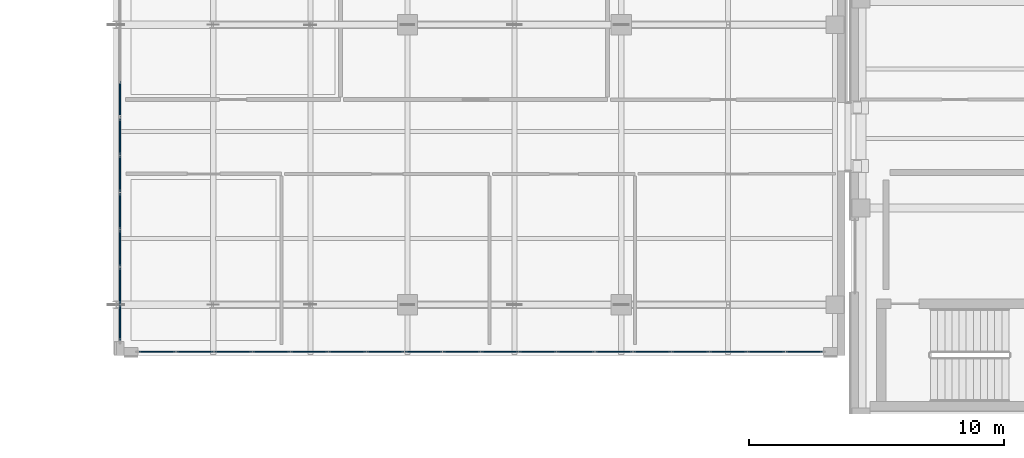
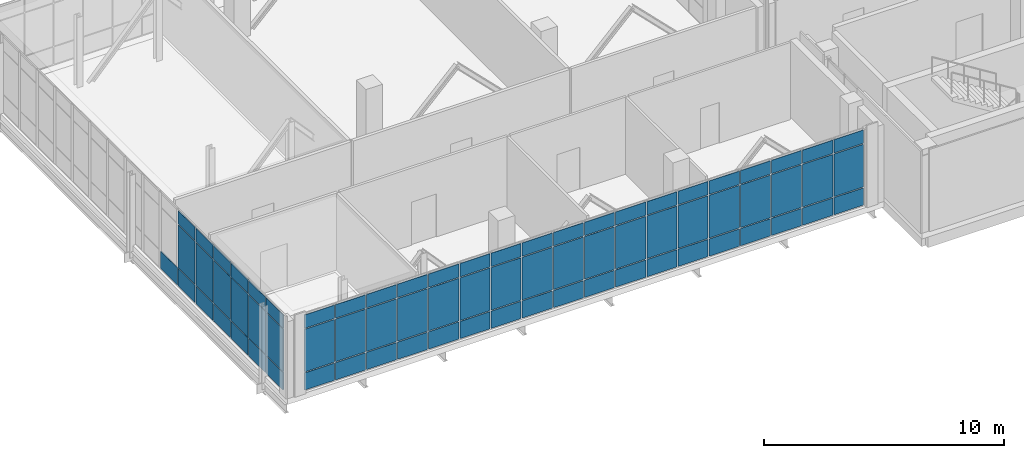
# One storey, part 130 of 193: 73 plates, 2 elements without a shape of their own.
"""IFC4 building model written with IfcOpenShell, lengths in metres."""

from ifc_helpers import new_model, si_unit, direction, frame, origin, origin_2d, place, context, subcontext, project, spatial, rectangle, extrude, material, layer, layer_set, type_object, element, aggregate, save


model = new_model("IFC4")

# Units and contexts
model_context = context("Model", 3, precision=1e-05, world=origin(), true_north=direction((0.0, 1.0)))
body_context = subcontext(model_context, "Body", "Model", "MODEL_VIEW")
ifc_project = project(units=[si_unit("LENGTHUNIT", "METRE"), si_unit("AREAUNIT", "SQUARE_METRE"), si_unit("VOLUMEUNIT", "CUBIC_METRE"), si_unit("PLANEANGLEUNIT", "RADIAN"), si_unit("MASSUNIT", "GRAM", prefix="KILO")], contexts=[model_context])

# Site, building, storey
site_placement = place(None, origin())
site = spatial("IfcSite", under=ifc_project, at=site_placement, CompositionType="ELEMENT")
building_placement = place(site_placement, origin())
building = spatial("IfcBuilding", under=site, at=building_placement, Name="Qalavern Law Courts", CompositionType="ELEMENT")
storey_placement = place(building_placement, frame((0.0, 0.0, 10.199951171875)))
storey = spatial("IfcBuildingStorey", under=building, at=storey_placement, Name="L02", CompositionType="ELEMENT", Elevation=10.199951171875)

# Curtain wall, plates
ifc_material_1 = material(Name="Anodised aluminium and insulated glazing", Category="aluminium")
ifc_layer_1 = layer(ifc_material_1, 0.199951171875)
ifc_layer_set_1 = layer_set([ifc_layer_1], Name="Anodised aluminium and insulated glazing")
curtain_wall_type = type_object("IfcCurtainWallType", Name="ENV-CW-FOYER", PredefinedType="USERDEFINED", material=ifc_layer_set_1)
curtain_wall_1_placement = place(storey_placement, origin())
curtain_wall_1 = element("IfcCurtainWall", 1, at=curtain_wall_1_placement, inside=storey, type_object=curtain_wall_type, Name="V1 unitised curtain wall L02 south 1", ObjectType="UNITISED CURTAIN WALL", PredefinedType="USERDEFINED")
ifc_material_2 = material(Name="Insulated low-E acoustic glazing", Category="glass")
ifc_layer_2 = layer(ifc_material_2, 0.048095703125)
ifc_layer_set_2 = layer_set([ifc_layer_2], Name="Insulated low-E acoustic glazing")
plate_type = type_object("IfcPlateType", Name="ENV-CWP-48", PredefinedType="CURTAIN_PANEL", material=ifc_layer_set_2)
plate_1_placement = place(storey_placement, frame((6.96533203125, 8.155029296875, 0.048095703125), z_axis=(0.0, 0.0, 1.0), x_axis=(1.0, 0.0, 0.0)))
plate_1 = element("IfcPlate", 2, at=plate_1_placement, type_object=plate_type, Name="CW-01 panel 1.1", PredefinedType="CURTAIN_PANEL", context=body_context, shape_type="SweptSolid", body=[
    extrude(rectangle(XDim=1.424560546875, YDim=0.048095703125, at=origin_2d()), origin(), (0.0, 0.0, 1.0), 0.8779296875),
])
plate_2_placement = place(storey_placement, frame((6.96533203125, 8.155029296875, 0.97412109375), z_axis=(0.0, 0.0, 1.0), x_axis=(1.0, 0.0, 0.0)))
plate_2 = element("IfcPlate", 3, at=plate_2_placement, type_object=plate_type, Name="CW-01 panel 1.2", PredefinedType="CURTAIN_PANEL", context=body_context, shape_type="SweptSolid", body=[
    extrude(rectangle(XDim=1.424560546875, YDim=0.048095703125, at=origin_2d()), origin(), (0.0, 0.0, 1.0), 2.1669921875),
])
plate_3_placement = place(storey_placement, frame((6.96533203125, 8.155029296875, 3.18896484375), z_axis=(0.0, 0.0, 1.0), x_axis=(1.0, 0.0, 0.0)))
plate_3 = element("IfcPlate", 4, at=plate_3_placement, type_object=plate_type, Name="CW-01 panel 1.3", PredefinedType="CURTAIN_PANEL", context=body_context, shape_type="SweptSolid", body=[
    extrude(rectangle(XDim=1.424560546875, YDim=0.048095703125, at=origin_2d()), origin(), (0.0, 0.0, 1.0), 0.677978515625),
])
plate_4_placement = place(storey_placement, frame((8.449951171875, 8.155029296875, 0.048095703125), z_axis=(0.0, 0.0, 1.0), x_axis=(1.0, 0.0, 0.0)))
plate_4 = element("IfcPlate", 5, at=plate_4_placement, type_object=plate_type, Name="CW-01 panel 2.1", PredefinedType="CURTAIN_PANEL", context=body_context, shape_type="SweptSolid", body=[
    extrude(rectangle(XDim=1.44873046875, YDim=0.048095703125, at=origin_2d()), origin(), (0.0, 0.0, 1.0), 0.8779296875),
])
plate_5_placement = place(storey_placement, frame((8.449951171875, 8.155029296875, 0.97412109375), z_axis=(0.0, 0.0, 1.0), x_axis=(1.0, 0.0, 0.0)))
plate_5 = element("IfcPlate", 6, at=plate_5_placement, type_object=plate_type, Name="CW-01 panel 2.2", PredefinedType="CURTAIN_PANEL", context=body_context, shape_type="SweptSolid", body=[
    extrude(rectangle(XDim=1.44873046875, YDim=0.048095703125, at=origin_2d()), origin(), (0.0, 0.0, 1.0), 2.1669921875),
])
plate_6_placement = place(storey_placement, frame((8.449951171875, 8.155029296875, 3.18896484375), z_axis=(0.0, 0.0, 1.0), x_axis=(1.0, 0.0, 0.0)))
plate_6 = element("IfcPlate", 7, at=plate_6_placement, type_object=plate_type, Name="CW-01 panel 2.3", PredefinedType="CURTAIN_PANEL", context=body_context, shape_type="SweptSolid", body=[
    extrude(rectangle(XDim=1.44873046875, YDim=0.048095703125, at=origin_2d()), origin(), (0.0, 0.0, 1.0), 0.677978515625),
])
plate_7_placement = place(storey_placement, frame((9.94677734375, 8.155029296875, 0.048095703125), z_axis=(0.0, 0.0, 1.0), x_axis=(1.0, 0.0, 0.0)))
plate_7 = element("IfcPlate", 8, at=plate_7_placement, type_object=plate_type, Name="CW-01 panel 3.1", PredefinedType="CURTAIN_PANEL", context=body_context, shape_type="SweptSolid", body=[
    extrude(rectangle(XDim=1.44873046875, YDim=0.048095703125, at=origin_2d()), origin(), (0.0, 0.0, 1.0), 0.8779296875),
])
plate_8_placement = place(storey_placement, frame((9.94677734375, 8.155029296875, 0.97412109375), z_axis=(0.0, 0.0, 1.0), x_axis=(1.0, 0.0, 0.0)))
plate_8 = element("IfcPlate", 9, at=plate_8_placement, type_object=plate_type, Name="CW-01 panel 3.2", PredefinedType="CURTAIN_PANEL", context=body_context, shape_type="SweptSolid", body=[
    extrude(rectangle(XDim=1.44873046875, YDim=0.048095703125, at=origin_2d()), origin(), (0.0, 0.0, 1.0), 2.1669921875),
])
plate_9_placement = place(storey_placement, frame((9.94677734375, 8.155029296875, 3.18896484375), z_axis=(0.0, 0.0, 1.0), x_axis=(1.0, 0.0, 0.0)))
plate_9 = element("IfcPlate", 10, at=plate_9_placement, type_object=plate_type, Name="CW-01 panel 3.3", PredefinedType="CURTAIN_PANEL", context=body_context, shape_type="SweptSolid", body=[
    extrude(rectangle(XDim=1.44873046875, YDim=0.048095703125, at=origin_2d()), origin(), (0.0, 0.0, 1.0), 0.677978515625),
])
plate_10_placement = place(storey_placement, frame((11.443359375, 8.155029296875, 0.048095703125), z_axis=(0.0, 0.0, 1.0), x_axis=(1.0, 0.0, 0.0)))
plate_10 = element("IfcPlate", 11, at=plate_10_placement, type_object=plate_type, Name="CW-01 panel 4.1", PredefinedType="CURTAIN_PANEL", context=body_context, shape_type="SweptSolid", body=[
    extrude(rectangle(XDim=1.44873046875, YDim=0.048095703125, at=origin_2d()), origin(), (0.0, 0.0, 1.0), 0.8779296875),
])
plate_11_placement = place(storey_placement, frame((11.443359375, 8.155029296875, 0.97412109375), z_axis=(0.0, 0.0, 1.0), x_axis=(1.0, 0.0, 0.0)))
plate_11 = element("IfcPlate", 12, at=plate_11_placement, type_object=plate_type, Name="CW-01 panel 4.2", PredefinedType="CURTAIN_PANEL", context=body_context, shape_type="SweptSolid", body=[
    extrude(rectangle(XDim=1.44873046875, YDim=0.048095703125, at=origin_2d()), origin(), (0.0, 0.0, 1.0), 2.1669921875),
])
plate_12_placement = place(storey_placement, frame((11.443359375, 8.155029296875, 3.18896484375), z_axis=(0.0, 0.0, 1.0), x_axis=(1.0, 0.0, 0.0)))
plate_12 = element("IfcPlate", 13, at=plate_12_placement, type_object=plate_type, Name="CW-01 panel 4.3", PredefinedType="CURTAIN_PANEL", context=body_context, shape_type="SweptSolid", body=[
    extrude(rectangle(XDim=1.44873046875, YDim=0.048095703125, at=origin_2d()), origin(), (0.0, 0.0, 1.0), 0.677978515625),
])
plate_13_placement = place(storey_placement, frame((12.93994140625, 8.155029296875, 0.048095703125), z_axis=(0.0, 0.0, 1.0), x_axis=(1.0, 0.0, 0.0)))
plate_13 = element("IfcPlate", 14, at=plate_13_placement, type_object=plate_type, Name="CW-01 panel 5.1", PredefinedType="CURTAIN_PANEL", context=body_context, shape_type="SweptSolid", body=[
    extrude(rectangle(XDim=1.44873046875, YDim=0.048095703125, at=origin_2d()), origin(), (0.0, 0.0, 1.0), 0.8779296875),
])
plate_14_placement = place(storey_placement, frame((12.93994140625, 8.155029296875, 0.97412109375), z_axis=(0.0, 0.0, 1.0), x_axis=(1.0, 0.0, 0.0)))
plate_14 = element("IfcPlate", 15, at=plate_14_placement, type_object=plate_type, Name="CW-01 panel 5.2", PredefinedType="CURTAIN_PANEL", context=body_context, shape_type="SweptSolid", body=[
    extrude(rectangle(XDim=1.44873046875, YDim=0.048095703125, at=origin_2d()), origin(), (0.0, 0.0, 1.0), 2.1669921875),
])
plate_15_placement = place(storey_placement, frame((12.93994140625, 8.155029296875, 3.18896484375), z_axis=(0.0, 0.0, 1.0), x_axis=(1.0, 0.0, 0.0)))
plate_15 = element("IfcPlate", 16, at=plate_15_placement, type_object=plate_type, Name="CW-01 panel 5.3", PredefinedType="CURTAIN_PANEL", context=body_context, shape_type="SweptSolid", body=[
    extrude(rectangle(XDim=1.44873046875, YDim=0.048095703125, at=origin_2d()), origin(), (0.0, 0.0, 1.0), 0.677978515625),
])
plate_16_placement = place(storey_placement, frame((14.436767578125, 8.155029296875, 0.048095703125), z_axis=(0.0, 0.0, 1.0), x_axis=(1.0, 0.0, 0.0)))
plate_16 = element("IfcPlate", 17, at=plate_16_placement, type_object=plate_type, Name="CW-01 panel 6.1", PredefinedType="CURTAIN_PANEL", context=body_context, shape_type="SweptSolid", body=[
    extrude(rectangle(XDim=1.44873046875, YDim=0.048095703125, at=origin_2d()), origin(), (0.0, 0.0, 1.0), 0.8779296875),
])
plate_17_placement = place(storey_placement, frame((14.436767578125, 8.155029296875, 0.97412109375), z_axis=(0.0, 0.0, 1.0), x_axis=(1.0, 0.0, 0.0)))
plate_17 = element("IfcPlate", 18, at=plate_17_placement, type_object=plate_type, Name="CW-01 panel 6.2", PredefinedType="CURTAIN_PANEL", context=body_context, shape_type="SweptSolid", body=[
    extrude(rectangle(XDim=1.44873046875, YDim=0.048095703125, at=origin_2d()), origin(), (0.0, 0.0, 1.0), 2.1669921875),
])
plate_18_placement = place(storey_placement, frame((14.436767578125, 8.155029296875, 3.18896484375), z_axis=(0.0, 0.0, 1.0), x_axis=(1.0, 0.0, 0.0)))
plate_18 = element("IfcPlate", 19, at=plate_18_placement, type_object=plate_type, Name="CW-01 panel 6.3", PredefinedType="CURTAIN_PANEL", context=body_context, shape_type="SweptSolid", body=[
    extrude(rectangle(XDim=1.44873046875, YDim=0.048095703125, at=origin_2d()), origin(), (0.0, 0.0, 1.0), 0.677978515625),
])
plate_19_placement = place(storey_placement, frame((15.933349609375, 8.155029296875, 0.048095703125), z_axis=(0.0, 0.0, 1.0), x_axis=(1.0, 0.0, 0.0)))
plate_19 = element("IfcPlate", 20, at=plate_19_placement, type_object=plate_type, Name="CW-01 panel 7.1", PredefinedType="CURTAIN_PANEL", context=body_context, shape_type="SweptSolid", body=[
    extrude(rectangle(XDim=1.44873046875, YDim=0.048095703125, at=origin_2d()), origin(), (0.0, 0.0, 1.0), 0.8779296875),
])
plate_20_placement = place(storey_placement, frame((15.933349609375, 8.155029296875, 0.97412109375), z_axis=(0.0, 0.0, 1.0), x_axis=(1.0, 0.0, 0.0)))
plate_20 = element("IfcPlate", 21, at=plate_20_placement, type_object=plate_type, Name="CW-01 panel 7.2", PredefinedType="CURTAIN_PANEL", context=body_context, shape_type="SweptSolid", body=[
    extrude(rectangle(XDim=1.44873046875, YDim=0.048095703125, at=origin_2d()), origin(), (0.0, 0.0, 1.0), 2.1669921875),
])
plate_21_placement = place(storey_placement, frame((15.933349609375, 8.155029296875, 3.18896484375), z_axis=(0.0, 0.0, 1.0), x_axis=(1.0, 0.0, 0.0)))
plate_21 = element("IfcPlate", 22, at=plate_21_placement, type_object=plate_type, Name="CW-01 panel 7.3", PredefinedType="CURTAIN_PANEL", context=body_context, shape_type="SweptSolid", body=[
    extrude(rectangle(XDim=1.44873046875, YDim=0.048095703125, at=origin_2d()), origin(), (0.0, 0.0, 1.0), 0.677978515625),
])
plate_22_placement = place(storey_placement, frame((17.429931640625, 8.155029296875, 0.048095703125), z_axis=(0.0, 0.0, 1.0), x_axis=(1.0, 0.0, 0.0)))
plate_22 = element("IfcPlate", 23, at=plate_22_placement, type_object=plate_type, Name="CW-01 panel 8.1", PredefinedType="CURTAIN_PANEL", context=body_context, shape_type="SweptSolid", body=[
    extrude(rectangle(XDim=1.44873046875, YDim=0.048095703125, at=origin_2d()), origin(), (0.0, 0.0, 1.0), 0.8779296875),
])
plate_23_placement = place(storey_placement, frame((17.429931640625, 8.155029296875, 0.97412109375), z_axis=(0.0, 0.0, 1.0), x_axis=(1.0, 0.0, 0.0)))
plate_23 = element("IfcPlate", 24, at=plate_23_placement, type_object=plate_type, Name="CW-01 panel 8.2", PredefinedType="CURTAIN_PANEL", context=body_context, shape_type="SweptSolid", body=[
    extrude(rectangle(XDim=1.44873046875, YDim=0.048095703125, at=origin_2d()), origin(), (0.0, 0.0, 1.0), 2.1669921875),
])
plate_24_placement = place(storey_placement, frame((17.429931640625, 8.155029296875, 3.18896484375), z_axis=(0.0, 0.0, 1.0), x_axis=(1.0, 0.0, 0.0)))
plate_24 = element("IfcPlate", 25, at=plate_24_placement, type_object=plate_type, Name="CW-01 panel 8.3", PredefinedType="CURTAIN_PANEL", context=body_context, shape_type="SweptSolid", body=[
    extrude(rectangle(XDim=1.44873046875, YDim=0.048095703125, at=origin_2d()), origin(), (0.0, 0.0, 1.0), 0.677978515625),
])
plate_25_placement = place(storey_placement, frame((18.9267578125, 8.155029296875, 0.048095703125), z_axis=(0.0, 0.0, 1.0), x_axis=(1.0, 0.0, 0.0)))
plate_25 = element("IfcPlate", 26, at=plate_25_placement, type_object=plate_type, Name="CW-01 panel 9.1", PredefinedType="CURTAIN_PANEL", context=body_context, shape_type="SweptSolid", body=[
    extrude(rectangle(XDim=1.44873046875, YDim=0.048095703125, at=origin_2d()), origin(), (0.0, 0.0, 1.0), 0.8779296875),
])
plate_26_placement = place(storey_placement, frame((18.9267578125, 8.155029296875, 0.97412109375), z_axis=(0.0, 0.0, 1.0), x_axis=(1.0, 0.0, 0.0)))
plate_26 = element("IfcPlate", 27, at=plate_26_placement, type_object=plate_type, Name="CW-01 panel 9.2", PredefinedType="CURTAIN_PANEL", context=body_context, shape_type="SweptSolid", body=[
    extrude(rectangle(XDim=1.44873046875, YDim=0.048095703125, at=origin_2d()), origin(), (0.0, 0.0, 1.0), 2.1669921875),
])
plate_27_placement = place(storey_placement, frame((18.9267578125, 8.155029296875, 3.18896484375), z_axis=(0.0, 0.0, 1.0), x_axis=(1.0, 0.0, 0.0)))
plate_27 = element("IfcPlate", 28, at=plate_27_placement, type_object=plate_type, Name="CW-01 panel 9.3", PredefinedType="CURTAIN_PANEL", context=body_context, shape_type="SweptSolid", body=[
    extrude(rectangle(XDim=1.44873046875, YDim=0.048095703125, at=origin_2d()), origin(), (0.0, 0.0, 1.0), 0.677978515625),
])
plate_28_placement = place(storey_placement, frame((20.42333984375, 8.155029296875, 0.048095703125), z_axis=(0.0, 0.0, 1.0), x_axis=(1.0, 0.0, 0.0)))
plate_28 = element("IfcPlate", 29, at=plate_28_placement, type_object=plate_type, Name="CW-01 panel 10.1", PredefinedType="CURTAIN_PANEL", context=body_context, shape_type="SweptSolid", body=[
    extrude(rectangle(XDim=1.44873046875, YDim=0.048095703125, at=origin_2d()), origin(), (0.0, 0.0, 1.0), 0.8779296875),
])
plate_29_placement = place(storey_placement, frame((20.42333984375, 8.155029296875, 0.97412109375), z_axis=(0.0, 0.0, 1.0), x_axis=(1.0, 0.0, 0.0)))
plate_29 = element("IfcPlate", 30, at=plate_29_placement, type_object=plate_type, Name="CW-01 panel 10.2", PredefinedType="CURTAIN_PANEL", context=body_context, shape_type="SweptSolid", body=[
    extrude(rectangle(XDim=1.44873046875, YDim=0.048095703125, at=origin_2d()), origin(), (0.0, 0.0, 1.0), 2.1669921875),
])
plate_30_placement = place(storey_placement, frame((20.42333984375, 8.155029296875, 3.18896484375), z_axis=(0.0, 0.0, 1.0), x_axis=(1.0, 0.0, 0.0)))
plate_30 = element("IfcPlate", 31, at=plate_30_placement, type_object=plate_type, Name="CW-01 panel 10.3", PredefinedType="CURTAIN_PANEL", context=body_context, shape_type="SweptSolid", body=[
    extrude(rectangle(XDim=1.44873046875, YDim=0.048095703125, at=origin_2d()), origin(), (0.0, 0.0, 1.0), 0.677978515625),
])
plate_31_placement = place(storey_placement, frame((21.919921875, 8.155029296875, 0.048095703125), z_axis=(0.0, 0.0, 1.0), x_axis=(1.0, 0.0, 0.0)))
plate_31 = element("IfcPlate", 32, at=plate_31_placement, type_object=plate_type, Name="CW-01 panel 11.1", PredefinedType="CURTAIN_PANEL", context=body_context, shape_type="SweptSolid", body=[
    extrude(rectangle(XDim=1.44873046875, YDim=0.048095703125, at=origin_2d()), origin(), (0.0, 0.0, 1.0), 0.8779296875),
])
plate_32_placement = place(storey_placement, frame((21.919921875, 8.155029296875, 0.97412109375), z_axis=(0.0, 0.0, 1.0), x_axis=(1.0, 0.0, 0.0)))
plate_32 = element("IfcPlate", 33, at=plate_32_placement, type_object=plate_type, Name="CW-01 panel 11.2", PredefinedType="CURTAIN_PANEL", context=body_context, shape_type="SweptSolid", body=[
    extrude(rectangle(XDim=1.44873046875, YDim=0.048095703125, at=origin_2d()), origin(), (0.0, 0.0, 1.0), 2.1669921875),
])
plate_33_placement = place(storey_placement, frame((21.919921875, 8.155029296875, 3.18896484375), z_axis=(0.0, 0.0, 1.0), x_axis=(1.0, 0.0, 0.0)))
plate_33 = element("IfcPlate", 34, at=plate_33_placement, type_object=plate_type, Name="CW-01 panel 11.3", PredefinedType="CURTAIN_PANEL", context=body_context, shape_type="SweptSolid", body=[
    extrude(rectangle(XDim=1.44873046875, YDim=0.048095703125, at=origin_2d()), origin(), (0.0, 0.0, 1.0), 0.677978515625),
])
plate_34_placement = place(storey_placement, frame((23.416748046875, 8.155029296875, 0.048095703125), z_axis=(0.0, 0.0, 1.0), x_axis=(1.0, 0.0, 0.0)))
plate_34 = element("IfcPlate", 35, at=plate_34_placement, type_object=plate_type, Name="CW-01 panel 12.1", PredefinedType="CURTAIN_PANEL", context=body_context, shape_type="SweptSolid", body=[
    extrude(rectangle(XDim=1.44873046875, YDim=0.048095703125, at=origin_2d()), origin(), (0.0, 0.0, 1.0), 0.8779296875),
])
plate_35_placement = place(storey_placement, frame((23.416748046875, 8.155029296875, 0.97412109375), z_axis=(0.0, 0.0, 1.0), x_axis=(1.0, 0.0, 0.0)))
plate_35 = element("IfcPlate", 36, at=plate_35_placement, type_object=plate_type, Name="CW-01 panel 12.2", PredefinedType="CURTAIN_PANEL", context=body_context, shape_type="SweptSolid", body=[
    extrude(rectangle(XDim=1.44873046875, YDim=0.048095703125, at=origin_2d()), origin(), (0.0, 0.0, 1.0), 2.1669921875),
])
plate_36_placement = place(storey_placement, frame((23.416748046875, 8.155029296875, 3.18896484375), z_axis=(0.0, 0.0, 1.0), x_axis=(1.0, 0.0, 0.0)))
plate_36 = element("IfcPlate", 37, at=plate_36_placement, type_object=plate_type, Name="CW-01 panel 12.3", PredefinedType="CURTAIN_PANEL", context=body_context, shape_type="SweptSolid", body=[
    extrude(rectangle(XDim=1.44873046875, YDim=0.048095703125, at=origin_2d()), origin(), (0.0, 0.0, 1.0), 0.677978515625),
])
plate_37_placement = place(storey_placement, frame((24.913330078125, 8.155029296875, 0.048095703125), z_axis=(0.0, 0.0, 1.0), x_axis=(1.0, 0.0, 0.0)))
plate_37 = element("IfcPlate", 38, at=plate_37_placement, type_object=plate_type, Name="CW-01 panel 13.1", PredefinedType="CURTAIN_PANEL", context=body_context, shape_type="SweptSolid", body=[
    extrude(rectangle(XDim=1.44873046875, YDim=0.048095703125, at=origin_2d()), origin(), (0.0, 0.0, 1.0), 0.8779296875),
])
plate_38_placement = place(storey_placement, frame((24.913330078125, 8.155029296875, 0.97412109375), z_axis=(0.0, 0.0, 1.0), x_axis=(1.0, 0.0, 0.0)))
plate_38 = element("IfcPlate", 39, at=plate_38_placement, type_object=plate_type, Name="CW-01 panel 13.2", PredefinedType="CURTAIN_PANEL", context=body_context, shape_type="SweptSolid", body=[
    extrude(rectangle(XDim=1.44873046875, YDim=0.048095703125, at=origin_2d()), origin(), (0.0, 0.0, 1.0), 2.1669921875),
])
plate_39_placement = place(storey_placement, frame((24.913330078125, 8.155029296875, 3.18896484375), z_axis=(0.0, 0.0, 1.0), x_axis=(1.0, 0.0, 0.0)))
plate_39 = element("IfcPlate", 40, at=plate_39_placement, type_object=plate_type, Name="CW-01 panel 13.3", PredefinedType="CURTAIN_PANEL", context=body_context, shape_type="SweptSolid", body=[
    extrude(rectangle(XDim=1.44873046875, YDim=0.048095703125, at=origin_2d()), origin(), (0.0, 0.0, 1.0), 0.677978515625),
])
plate_40_placement = place(storey_placement, frame((26.409912109375, 8.155029296875, 0.048095703125), z_axis=(0.0, 0.0, 1.0), x_axis=(1.0, 0.0, 0.0)))
plate_40 = element("IfcPlate", 41, at=plate_40_placement, type_object=plate_type, Name="CW-01 panel 14.1", PredefinedType="CURTAIN_PANEL", context=body_context, shape_type="SweptSolid", body=[
    extrude(rectangle(XDim=1.44873046875, YDim=0.048095703125, at=origin_2d()), origin(), (0.0, 0.0, 1.0), 0.8779296875),
])
plate_41_placement = place(storey_placement, frame((26.409912109375, 8.155029296875, 0.97412109375), z_axis=(0.0, 0.0, 1.0), x_axis=(1.0, 0.0, 0.0)))
plate_41 = element("IfcPlate", 42, at=plate_41_placement, type_object=plate_type, Name="CW-01 panel 14.2", PredefinedType="CURTAIN_PANEL", context=body_context, shape_type="SweptSolid", body=[
    extrude(rectangle(XDim=1.44873046875, YDim=0.048095703125, at=origin_2d()), origin(), (0.0, 0.0, 1.0), 2.1669921875),
])
plate_42_placement = place(storey_placement, frame((26.409912109375, 8.155029296875, 3.18896484375), z_axis=(0.0, 0.0, 1.0), x_axis=(1.0, 0.0, 0.0)))
plate_42 = element("IfcPlate", 43, at=plate_42_placement, type_object=plate_type, Name="CW-01 panel 14.3", PredefinedType="CURTAIN_PANEL", context=body_context, shape_type="SweptSolid", body=[
    extrude(rectangle(XDim=1.44873046875, YDim=0.048095703125, at=origin_2d()), origin(), (0.0, 0.0, 1.0), 0.677978515625),
])
plate_43_placement = place(storey_placement, frame((27.90673828125, 8.155029296875, 0.048095703125), z_axis=(0.0, 0.0, 1.0), x_axis=(1.0, 0.0, 0.0)))
plate_43 = element("IfcPlate", 44, at=plate_43_placement, type_object=plate_type, Name="CW-01 panel 15.1", PredefinedType="CURTAIN_PANEL", context=body_context, shape_type="SweptSolid", body=[
    extrude(rectangle(XDim=1.44873046875, YDim=0.048095703125, at=origin_2d()), origin(), (0.0, 0.0, 1.0), 0.8779296875),
])
plate_44_placement = place(storey_placement, frame((27.90673828125, 8.155029296875, 0.97412109375), z_axis=(0.0, 0.0, 1.0), x_axis=(1.0, 0.0, 0.0)))
plate_44 = element("IfcPlate", 45, at=plate_44_placement, type_object=plate_type, Name="CW-01 panel 15.2", PredefinedType="CURTAIN_PANEL", context=body_context, shape_type="SweptSolid", body=[
    extrude(rectangle(XDim=1.44873046875, YDim=0.048095703125, at=origin_2d()), origin(), (0.0, 0.0, 1.0), 2.1669921875),
])
plate_45_placement = place(storey_placement, frame((27.90673828125, 8.155029296875, 3.18896484375), z_axis=(0.0, 0.0, 1.0), x_axis=(1.0, 0.0, 0.0)))
plate_45 = element("IfcPlate", 46, at=plate_45_placement, type_object=plate_type, Name="CW-01 panel 15.3", PredefinedType="CURTAIN_PANEL", context=body_context, shape_type="SweptSolid", body=[
    extrude(rectangle(XDim=1.44873046875, YDim=0.048095703125, at=origin_2d()), origin(), (0.0, 0.0, 1.0), 0.677978515625),
])
plate_46_placement = place(storey_placement, frame((29.4033203125, 8.155029296875, 0.048095703125), z_axis=(0.0, 0.0, 1.0), x_axis=(1.0, 0.0, 0.0)))
plate_46 = element("IfcPlate", 47, at=plate_46_placement, type_object=plate_type, Name="CW-01 panel 16.1", PredefinedType="CURTAIN_PANEL", context=body_context, shape_type="SweptSolid", body=[
    extrude(rectangle(XDim=1.44873046875, YDim=0.048095703125, at=origin_2d()), origin(), (0.0, 0.0, 1.0), 0.8779296875),
])
plate_47_placement = place(storey_placement, frame((29.4033203125, 8.155029296875, 0.97412109375), z_axis=(0.0, 0.0, 1.0), x_axis=(1.0, 0.0, 0.0)))
plate_47 = element("IfcPlate", 48, at=plate_47_placement, type_object=plate_type, Name="CW-01 panel 16.2", PredefinedType="CURTAIN_PANEL", context=body_context, shape_type="SweptSolid", body=[
    extrude(rectangle(XDim=1.44873046875, YDim=0.048095703125, at=origin_2d()), origin(), (0.0, 0.0, 1.0), 2.1669921875),
])
plate_48_placement = place(storey_placement, frame((29.4033203125, 8.155029296875, 3.18896484375), z_axis=(0.0, 0.0, 1.0), x_axis=(1.0, 0.0, 0.0)))
plate_48 = element("IfcPlate", 49, at=plate_48_placement, type_object=plate_type, Name="CW-01 panel 16.3", PredefinedType="CURTAIN_PANEL", context=body_context, shape_type="SweptSolid", body=[
    extrude(rectangle(XDim=1.44873046875, YDim=0.048095703125, at=origin_2d()), origin(), (0.0, 0.0, 1.0), 0.677978515625),
])
plate_49_placement = place(storey_placement, frame((30.89990234375, 8.155029296875, 0.048095703125), z_axis=(0.0, 0.0, 1.0), x_axis=(1.0, 0.0, 0.0)))
plate_49 = element("IfcPlate", 50, at=plate_49_placement, type_object=plate_type, Name="CW-01 panel 17.1", PredefinedType="CURTAIN_PANEL", context=body_context, shape_type="SweptSolid", body=[
    extrude(rectangle(XDim=1.44873046875, YDim=0.048095703125, at=origin_2d()), origin(), (0.0, 0.0, 1.0), 0.8779296875),
])
plate_50_placement = place(storey_placement, frame((30.89990234375, 8.155029296875, 0.97412109375), z_axis=(0.0, 0.0, 1.0), x_axis=(1.0, 0.0, 0.0)))
plate_50 = element("IfcPlate", 51, at=plate_50_placement, type_object=plate_type, Name="CW-01 panel 17.2", PredefinedType="CURTAIN_PANEL", context=body_context, shape_type="SweptSolid", body=[
    extrude(rectangle(XDim=1.44873046875, YDim=0.048095703125, at=origin_2d()), origin(), (0.0, 0.0, 1.0), 2.1669921875),
])
plate_51_placement = place(storey_placement, frame((30.89990234375, 8.155029296875, 3.18896484375), z_axis=(0.0, 0.0, 1.0), x_axis=(1.0, 0.0, 0.0)))
plate_51 = element("IfcPlate", 52, at=plate_51_placement, type_object=plate_type, Name="CW-01 panel 17.3", PredefinedType="CURTAIN_PANEL", context=body_context, shape_type="SweptSolid", body=[
    extrude(rectangle(XDim=1.44873046875, YDim=0.048095703125, at=origin_2d()), origin(), (0.0, 0.0, 1.0), 0.677978515625),
])
plate_52_placement = place(storey_placement, frame((32.384765625, 8.155029296875, 0.048095703125), z_axis=(0.0, 0.0, 1.0), x_axis=(1.0, 0.0, 0.0)))
plate_52 = element("IfcPlate", 53, at=plate_52_placement, type_object=plate_type, Name="CW-01 panel 18.1", PredefinedType="CURTAIN_PANEL", context=body_context, shape_type="SweptSolid", body=[
    extrude(rectangle(XDim=1.424560546875, YDim=0.048095703125, at=origin_2d()), origin(), (0.0, 0.0, 1.0), 0.8779296875),
])
plate_53_placement = place(storey_placement, frame((32.384765625, 8.155029296875, 0.97412109375), z_axis=(0.0, 0.0, 1.0), x_axis=(1.0, 0.0, 0.0)))
plate_53 = element("IfcPlate", 54, at=plate_53_placement, type_object=plate_type, Name="CW-01 panel 18.2", PredefinedType="CURTAIN_PANEL", context=body_context, shape_type="SweptSolid", body=[
    extrude(rectangle(XDim=1.424560546875, YDim=0.048095703125, at=origin_2d()), origin(), (0.0, 0.0, 1.0), 2.1669921875),
])
plate_54_placement = place(storey_placement, frame((32.384765625, 8.155029296875, 3.18896484375), z_axis=(0.0, 0.0, 1.0), x_axis=(1.0, 0.0, 0.0)))
plate_54 = element("IfcPlate", 55, at=plate_54_placement, type_object=plate_type, Name="CW-01 panel 18.3", PredefinedType="CURTAIN_PANEL", context=body_context, shape_type="SweptSolid", body=[
    extrude(rectangle(XDim=1.424560546875, YDim=0.048095703125, at=origin_2d()), origin(), (0.0, 0.0, 1.0), 0.677978515625),
])
aggregate(curtain_wall_1, [plate_1, plate_2, plate_3, plate_4, plate_5, plate_6, plate_7, plate_8, plate_9, plate_10, plate_11, plate_12, plate_13, plate_14, plate_15, plate_16, plate_17, plate_18, plate_19, plate_20, plate_21, plate_22, plate_23, plate_24, plate_25, plate_26, plate_27, plate_28, plate_29, plate_30, plate_31, plate_32, plate_33, plate_34, plate_35, plate_36, plate_37, plate_38, plate_39, plate_40, plate_41, plate_42, plate_43, plate_44, plate_45, plate_46, plate_47, plate_48, plate_49, plate_50, plate_51, plate_52, plate_53, plate_54])

curtain_wall_2_placement = place(storey_placement, origin())
curtain_wall_2 = element("IfcCurtainWall", 56, at=curtain_wall_2_placement, inside=storey, type_object=curtain_wall_type, Name="V1 unitised curtain wall L02 west 1", ObjectType="UNITISED CURTAIN WALL", PredefinedType="USERDEFINED")
plate_55_placement = place(storey_placement, frame((5.5048828125, 18.070556640625, 0.048095703125), z_axis=(0.0, 0.0, 1.0), x_axis=(0.0, -1.0, 0.0)))
plate_55 = element("IfcPlate", 57, at=plate_55_placement, type_object=plate_type, Name="CW-01 panel 11.1", PredefinedType="CURTAIN_PANEL", context=body_context, shape_type="SweptSolid", body=[
    extrude(rectangle(XDim=1.416748046875, YDim=0.048095703125, at=origin_2d()), origin(), (0.0, 0.0, 1.0), 0.8779296875),
])
plate_56_placement = place(storey_placement, frame((5.5048828125, 16.60595703125, 0.048095703125), z_axis=(0.0, 0.0, 1.0), x_axis=(0.0, -1.0, 0.0)))
plate_56 = element("IfcPlate", 58, at=plate_56_placement, type_object=plate_type, Name="CW-01 panel 12.1", PredefinedType="CURTAIN_PANEL", context=body_context, shape_type="SweptSolid", body=[
    extrude(rectangle(XDim=1.416748046875, YDim=0.048095703125, at=origin_2d()), origin(), (0.0, 0.0, 1.0), 0.8779296875),
])
plate_57_placement = place(storey_placement, frame((5.5048828125, 16.60595703125, 0.97412109375), z_axis=(0.0, 0.0, 1.0), x_axis=(0.0, -1.0, 0.0)))
plate_57 = element("IfcPlate", 59, at=plate_57_placement, type_object=plate_type, Name="CW-01 panel 12.2", PredefinedType="CURTAIN_PANEL", context=body_context, shape_type="SweptSolid", body=[
    extrude(rectangle(XDim=1.416748046875, YDim=0.048095703125, at=origin_2d()), origin(), (0.0, 0.0, 1.0), 2.1669921875),
])
plate_58_placement = place(storey_placement, frame((5.5048828125, 16.60595703125, 3.18896484375), z_axis=(0.0, 0.0, 1.0), x_axis=(0.0, -1.0, 0.0)))
plate_58 = element("IfcPlate", 60, at=plate_58_placement, type_object=plate_type, Name="CW-01 panel 12.3", PredefinedType="CURTAIN_PANEL", context=body_context, shape_type="SweptSolid", body=[
    extrude(rectangle(XDim=1.416748046875, YDim=0.048095703125, at=origin_2d()), origin(), (0.0, 0.0, 1.0), 0.677978515625),
])
plate_59_placement = place(storey_placement, frame((5.5048828125, 15.14111328125, 0.048095703125), z_axis=(0.0, 0.0, 1.0), x_axis=(0.0, -1.0, 0.0)))
plate_59 = element("IfcPlate", 61, at=plate_59_placement, type_object=plate_type, Name="CW-01 panel 13.1", PredefinedType="CURTAIN_PANEL", context=body_context, shape_type="SweptSolid", body=[
    extrude(rectangle(XDim=1.416748046875, YDim=0.048095703125, at=origin_2d()), origin(), (0.0, 0.0, 1.0), 0.8779296875),
])
plate_60_placement = place(storey_placement, frame((5.5048828125, 15.14111328125, 0.97412109375), z_axis=(0.0, 0.0, 1.0), x_axis=(0.0, -1.0, 0.0)))
plate_60 = element("IfcPlate", 62, at=plate_60_placement, type_object=plate_type, Name="CW-01 panel 13.2", PredefinedType="CURTAIN_PANEL", context=body_context, shape_type="SweptSolid", body=[
    extrude(rectangle(XDim=1.416748046875, YDim=0.048095703125, at=origin_2d()), origin(), (0.0, 0.0, 1.0), 2.1669921875),
])
plate_61_placement = place(storey_placement, frame((5.5048828125, 15.14111328125, 3.18896484375), z_axis=(0.0, 0.0, 1.0), x_axis=(0.0, -1.0, 0.0)))
plate_61 = element("IfcPlate", 63, at=plate_61_placement, type_object=plate_type, Name="CW-01 panel 13.3", PredefinedType="CURTAIN_PANEL", context=body_context, shape_type="SweptSolid", body=[
    extrude(rectangle(XDim=1.416748046875, YDim=0.048095703125, at=origin_2d()), origin(), (0.0, 0.0, 1.0), 0.677978515625),
])
plate_62_placement = place(storey_placement, frame((5.5048828125, 13.676513671875, 0.048095703125), z_axis=(0.0, 0.0, 1.0), x_axis=(0.0, -1.0, 0.0)))
plate_62 = element("IfcPlate", 64, at=plate_62_placement, type_object=plate_type, Name="CW-01 panel 14.1", PredefinedType="CURTAIN_PANEL", context=body_context, shape_type="SweptSolid", body=[
    extrude(rectangle(XDim=1.416748046875, YDim=0.048095703125, at=origin_2d()), origin(), (0.0, 0.0, 1.0), 0.8779296875),
])
plate_63_placement = place(storey_placement, frame((5.5048828125, 13.676513671875, 0.97412109375), z_axis=(0.0, 0.0, 1.0), x_axis=(0.0, -1.0, 0.0)))
plate_63 = element("IfcPlate", 65, at=plate_63_placement, type_object=plate_type, Name="CW-01 panel 14.2", PredefinedType="CURTAIN_PANEL", context=body_context, shape_type="SweptSolid", body=[
    extrude(rectangle(XDim=1.416748046875, YDim=0.048095703125, at=origin_2d()), origin(), (0.0, 0.0, 1.0), 2.1669921875),
])
plate_64_placement = place(storey_placement, frame((5.5048828125, 13.676513671875, 3.18896484375), z_axis=(0.0, 0.0, 1.0), x_axis=(0.0, -1.0, 0.0)))
plate_64 = element("IfcPlate", 66, at=plate_64_placement, type_object=plate_type, Name="CW-01 panel 14.3", PredefinedType="CURTAIN_PANEL", context=body_context, shape_type="SweptSolid", body=[
    extrude(rectangle(XDim=1.416748046875, YDim=0.048095703125, at=origin_2d()), origin(), (0.0, 0.0, 1.0), 0.677978515625),
])
plate_65_placement = place(storey_placement, frame((5.5048828125, 12.211669921875, 0.048095703125), z_axis=(0.0, 0.0, 1.0), x_axis=(0.0, -1.0, 0.0)))
plate_65 = element("IfcPlate", 67, at=plate_65_placement, type_object=plate_type, Name="CW-01 panel 15.1", PredefinedType="CURTAIN_PANEL", context=body_context, shape_type="SweptSolid", body=[
    extrude(rectangle(XDim=1.416748046875, YDim=0.048095703125, at=origin_2d()), origin(), (0.0, 0.0, 1.0), 0.8779296875),
])
plate_66_placement = place(storey_placement, frame((5.5048828125, 12.211669921875, 0.97412109375), z_axis=(0.0, 0.0, 1.0), x_axis=(0.0, -1.0, 0.0)))
plate_66 = element("IfcPlate", 68, at=plate_66_placement, type_object=plate_type, Name="CW-01 panel 15.2", PredefinedType="CURTAIN_PANEL", context=body_context, shape_type="SweptSolid", body=[
    extrude(rectangle(XDim=1.416748046875, YDim=0.048095703125, at=origin_2d()), origin(), (0.0, 0.0, 1.0), 2.1669921875),
])
plate_67_placement = place(storey_placement, frame((5.5048828125, 12.211669921875, 3.18896484375), z_axis=(0.0, 0.0, 1.0), x_axis=(0.0, -1.0, 0.0)))
plate_67 = element("IfcPlate", 69, at=plate_67_placement, type_object=plate_type, Name="CW-01 panel 15.3", PredefinedType="CURTAIN_PANEL", context=body_context, shape_type="SweptSolid", body=[
    extrude(rectangle(XDim=1.416748046875, YDim=0.048095703125, at=origin_2d()), origin(), (0.0, 0.0, 1.0), 0.677978515625),
])
plate_68_placement = place(storey_placement, frame((5.5048828125, 10.7470703125, 0.048095703125), z_axis=(0.0, 0.0, 1.0), x_axis=(0.0, -1.0, 0.0)))
plate_68 = element("IfcPlate", 70, at=plate_68_placement, type_object=plate_type, Name="CW-01 panel 16.1", PredefinedType="CURTAIN_PANEL", context=body_context, shape_type="SweptSolid", body=[
    extrude(rectangle(XDim=1.416748046875, YDim=0.048095703125, at=origin_2d()), origin(), (0.0, 0.0, 1.0), 0.8779296875),
])
plate_69_placement = place(storey_placement, frame((5.5048828125, 10.7470703125, 0.97412109375), z_axis=(0.0, 0.0, 1.0), x_axis=(0.0, -1.0, 0.0)))
plate_69 = element("IfcPlate", 71, at=plate_69_placement, type_object=plate_type, Name="CW-01 panel 16.2", PredefinedType="CURTAIN_PANEL", context=body_context, shape_type="SweptSolid", body=[
    extrude(rectangle(XDim=1.416748046875, YDim=0.048095703125, at=origin_2d()), origin(), (0.0, 0.0, 1.0), 2.1669921875),
])
plate_70_placement = place(storey_placement, frame((5.5048828125, 10.7470703125, 3.18896484375), z_axis=(0.0, 0.0, 1.0), x_axis=(0.0, -1.0, 0.0)))
plate_70 = element("IfcPlate", 72, at=plate_70_placement, type_object=plate_type, Name="CW-01 panel 16.3", PredefinedType="CURTAIN_PANEL", context=body_context, shape_type="SweptSolid", body=[
    extrude(rectangle(XDim=1.416748046875, YDim=0.048095703125, at=origin_2d()), origin(), (0.0, 0.0, 1.0), 0.677978515625),
])
plate_71_placement = place(storey_placement, frame((5.5048828125, 9.29443359375, 0.048095703125), z_axis=(0.0, 0.0, 1.0), x_axis=(0.0, -1.0, 0.0)))
plate_71 = element("IfcPlate", 73, at=plate_71_placement, type_object=plate_type, Name="CW-01 panel 17.1", PredefinedType="CURTAIN_PANEL", context=body_context, shape_type="SweptSolid", body=[
    extrude(rectangle(XDim=1.392822265625, YDim=0.048095703125, at=origin_2d()), origin(), (0.0, 0.0, 1.0), 0.8779296875),
])
plate_72_placement = place(storey_placement, frame((5.5048828125, 9.29443359375, 0.97412109375), z_axis=(0.0, 0.0, 1.0), x_axis=(0.0, -1.0, 0.0)))
plate_72 = element("IfcPlate", 74, at=plate_72_placement, type_object=plate_type, Name="CW-01 panel 17.2", PredefinedType="CURTAIN_PANEL", context=body_context, shape_type="SweptSolid", body=[
    extrude(rectangle(XDim=1.392822265625, YDim=0.048095703125, at=origin_2d()), origin(), (0.0, 0.0, 1.0), 2.1669921875),
])
plate_73_placement = place(storey_placement, frame((5.5048828125, 9.29443359375, 3.18896484375), z_axis=(0.0, 0.0, 1.0), x_axis=(0.0, -1.0, 0.0)))
plate_73 = element("IfcPlate", 75, at=plate_73_placement, type_object=plate_type, Name="CW-01 panel 17.3", PredefinedType="CURTAIN_PANEL", context=body_context, shape_type="SweptSolid", body=[
    extrude(rectangle(XDim=1.392822265625, YDim=0.048095703125, at=origin_2d()), origin(), (0.0, 0.0, 1.0), 0.677978515625),
])
aggregate(curtain_wall_2, [plate_55, plate_56, plate_57, plate_58, plate_59, plate_60, plate_61, plate_62, plate_63, plate_64, plate_65, plate_66, plate_67, plate_68, plate_69, plate_70, plate_71, plate_72, plate_73])

save(model, "model.ifc")
